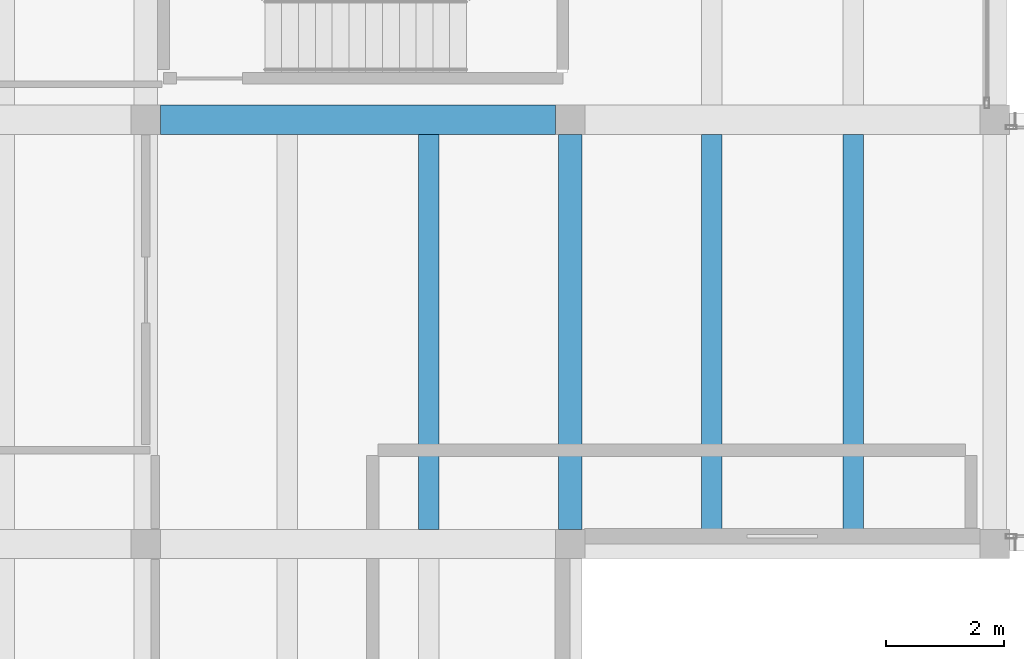
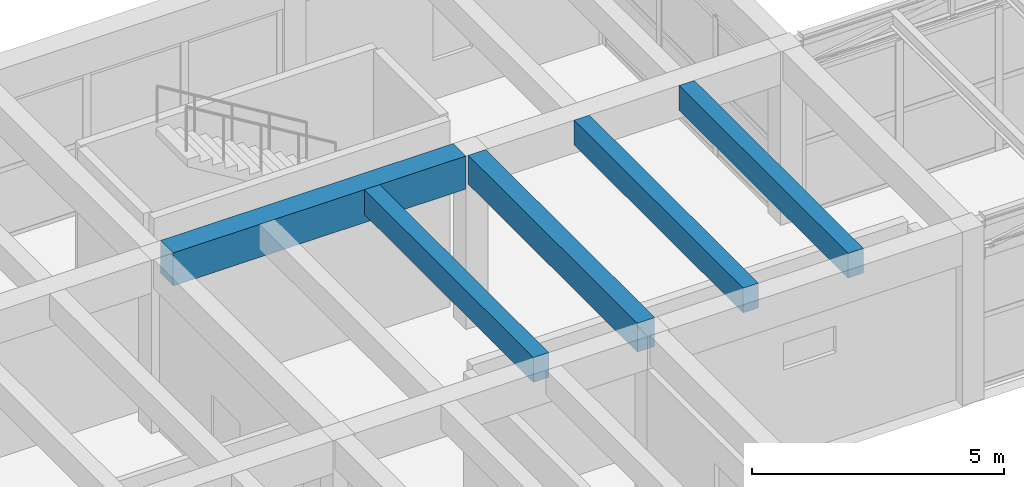
# One storey, part 17 of 153: 5 beams.
"""IFC4 building model written with IfcOpenShell, lengths in metres."""

from ifc_helpers import new_model, si_unit, direction, frame, origin, origin_2d, place, context, subcontext, project, spatial, rectangle, extrude, material, material_profile, profile_set, type_object, element, save


model = new_model("IFC4")

# Units and contexts
model_context = context("Model", 3, precision=1e-05, world=origin(), true_north=direction((0.0, 1.0)))
body_context = subcontext(model_context, "Body", "Model", "MODEL_VIEW")
ifc_project = project(units=[si_unit("LENGTHUNIT", "METRE"), si_unit("AREAUNIT", "SQUARE_METRE"), si_unit("VOLUMEUNIT", "CUBIC_METRE"), si_unit("PLANEANGLEUNIT", "RADIAN"), si_unit("MASSUNIT", "GRAM", prefix="KILO")], contexts=[model_context])

# Site, building, storey
site_placement = place(None, origin())
site = spatial("IfcSite", under=ifc_project, at=site_placement, CompositionType="ELEMENT")
building_placement = place(site_placement, origin())
building = spatial("IfcBuilding", under=site, at=building_placement, Name="Bramvelor Terrace Health Centre", CompositionType="ELEMENT")
storey_placement = place(building_placement, frame((0.0, 0.0, 4.800048828125)))
storey = spatial("IfcBuildingStorey", under=building, at=storey_placement, Name="L02", CompositionType="ELEMENT", Elevation=4.800048828125)

# Beams
ifc_material_1 = material(Name="Concrete C40/50", Category="concrete")
ifc_material_profile_1 = material_profile(ifc_material_1, rectangle(XDim=0.39990234375, YDim=0.699951171875, at=origin_2d()), Name="RC 400x700")
ifc_profile_set_1 = profile_set([ifc_material_profile_1], Name="Concrete C40/50")
beam_type_1 = type_object("IfcBeamType", Name="BM-RC-G700", PredefinedType="BEAM", material=ifc_profile_set_1)
beam_1_placement = place(storey_placement, frame((21.60009765625, 50.64990234375, 3.849853515625), z_axis=(0.0, 1.0, 0.0), x_axis=(-1.0, 0.0, 0.0)))
element("IfcBeam", 1, at=beam_1_placement, inside=storey, type_object=beam_type_1, Name="L02 Floor Girder", PredefinedType="BEAM", context=body_context, shape_type="SweptSolid", body=[
    extrude(rectangle(XDim=0.39990234375, YDim=0.699951171875, at=origin_2d()), origin(), (0.0, 0.0, 1.0), 6.7001953125),
])
ifc_material_2 = material(Name="Concrete C40/50", Category="concrete")
ifc_material_profile_2 = material_profile(ifc_material_2, rectangle(XDim=0.5, YDim=0.800048828125, at=origin_2d()), Name="RC 500x800")
ifc_profile_set_2 = profile_set([ifc_material_profile_2], Name="Concrete C40/50")
beam_type_2 = type_object("IfcBeamType", Name="BM-RC-G800", PredefinedType="BEAM", material=ifc_profile_set_2)
beam_2_placement = place(storey_placement, frame((14.64990234375, 57.60009765625, 3.800048828125), z_axis=(1.0, 0.0, 0.0), x_axis=(0.0, 1.0, 0.0)))
element("IfcBeam", 2, at=beam_2_placement, inside=storey, type_object=beam_type_2, Name="L02 Floor Girder", PredefinedType="BEAM", context=body_context, shape_type="SweptSolid", body=[
    extrude(rectangle(XDim=0.5, YDim=0.800048828125, at=origin_2d()), origin(), (0.0, 0.0, 1.0), 6.7001953125),
])
ifc_material_3 = material(Name="Concrete C40/50", Category="concrete")
ifc_material_profile_3 = material_profile(ifc_material_3, rectangle(XDim=0.35009765625, YDim=0.60009765625, at=origin_2d()), Name="RC 350x600")
ifc_profile_set_3 = profile_set([ifc_material_profile_3], Name="Concrete C40/50")
beam_type_3 = type_object("IfcBeamType", Name="BM-RC-J600", PredefinedType="JOIST", material=ifc_profile_set_3)
for number, where, z_axis, x_axis, name in (
    (3, (19.199951171875, 50.64990234375, 3.89990234375), (0.0, 1.0, 0.0), (-1.0, 0.0, 0.0), "L02 Secondary Floor Joist"),
    (4, (24.0, 50.64990234375, 3.89990234375), (0.0, 1.0, 0.0), (-1.0, 0.0, 0.0), "L02 Secondary Floor Joist"),
    (5, (26.39990234375, 50.64990234375, 3.89990234375), (0.0, 1.0, 0.0), (-1.0, 0.0, 0.0), "L02 Secondary Floor Joist"),
):
    element("IfcBeam", number, at=place(storey_placement, frame(where, z_axis=z_axis, x_axis=x_axis)), inside=storey, type_object=beam_type_3, Name=name, PredefinedType="JOIST", context=body_context, shape_type="SweptSolid", body=[
        extrude(rectangle(XDim=0.35009765625, YDim=0.60009765625, at=origin_2d()), origin(), (0.0, 0.0, 1.0), 6.7001953125),
    ])

save(model, "model.ifc")
